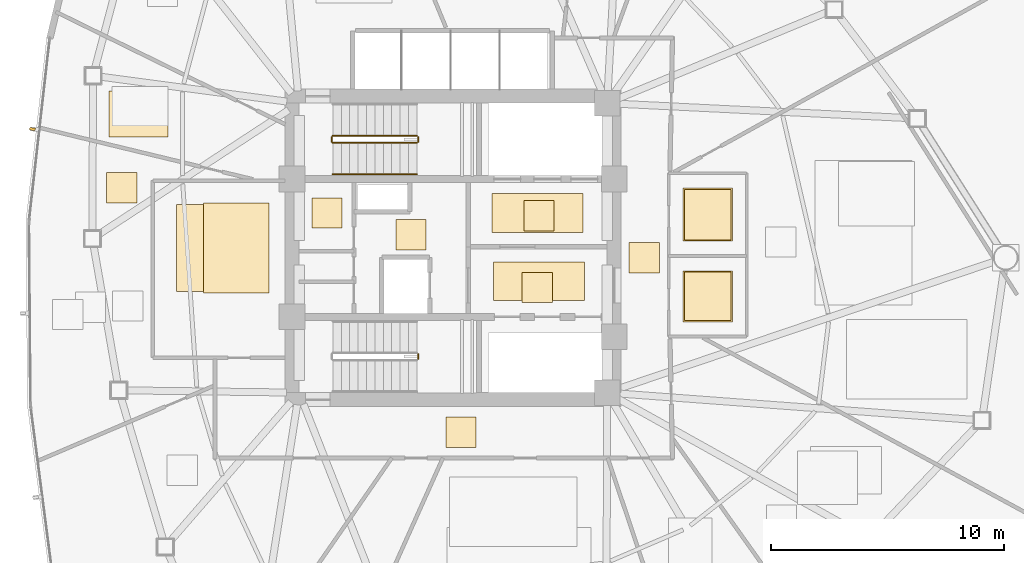
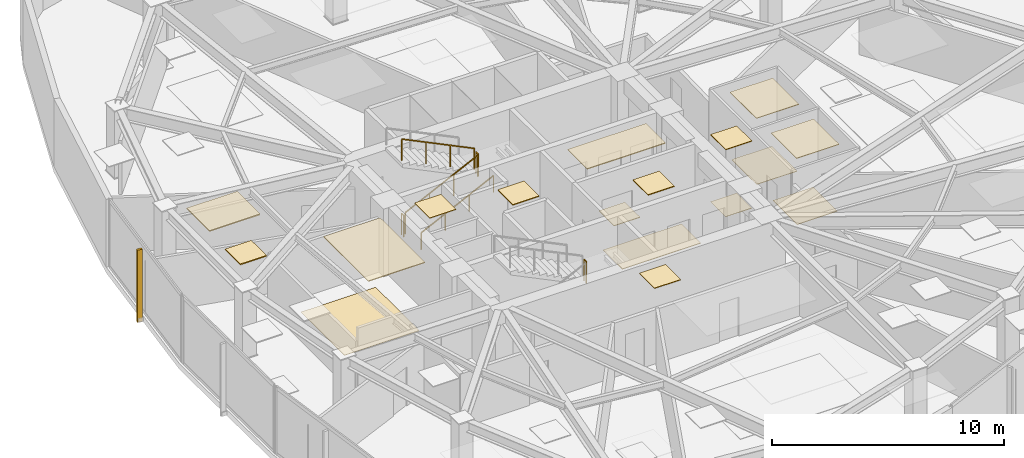
# One storey, part 16 of 18: 17 coverings, 6 railings, 1 shading device.
"""IFC4 building model written with IfcOpenShell, lengths in metres."""

from ifc_helpers import new_model, si_unit, direction, frame, origin, origin_2d, place, context, subcontext, project, spatial, polyline, rectangle, outline, extrude, source, transform, mapped, material, layer, layer_set, type_object, type_shapes, element, save


model = new_model("IFC4")

# Units and contexts
model_context = context("Model", 3, precision=1e-05, world=origin(), true_north=direction((0.0, 1.0)))
body_context = subcontext(model_context, "Body", "Model", "MODEL_VIEW")
ifc_project = project(units=[si_unit("LENGTHUNIT", "METRE"), si_unit("AREAUNIT", "SQUARE_METRE"), si_unit("VOLUMEUNIT", "CUBIC_METRE"), si_unit("PLANEANGLEUNIT", "RADIAN"), si_unit("MASSUNIT", "GRAM", prefix="KILO")], contexts=[model_context])

# Site, building, storey
site_placement = place(None, origin())
site = spatial("IfcSite", under=ifc_project, at=site_placement, CompositionType="ELEMENT")
building_placement = place(site_placement, origin())
building = spatial("IfcBuilding", under=site, at=building_placement, Name="Tavelor Broadcast Tower", CompositionType="ELEMENT")
storey_placement = place(building_placement, frame((0.0, 0.0, 146.39990234375)))
storey = spatial("IfcBuildingStorey", under=building, at=storey_placement, Name="L34", CompositionType="ELEMENT", Elevation=146.39990234375)

# Coverings
ifc_material_1 = material(Name="Copper-Bronze Anodized Aluminium", Category="aluminium")
ifc_layer_1 = layer(ifc_material_1, 0.044921875)
ifc_layer_set_1 = layer_set([ifc_layer_1], Name="Copper-Bronze Anodized Aluminium")
covering_type_1 = type_object("IfcCoveringType", Name="Anodised Bronze Linear Slatted Concourse Ceiling 45 mm", PredefinedType="CEILING", material=ifc_layer_set_1)
covering_1_placement = place(storey_placement, frame((0.0, 0.0, 3.505126953125)))
element("IfcCovering", 1, at=covering_1_placement, inside=storey, type_object=covering_type_1, Name="L34 Suspended Acoustic Ceiling 1378", PredefinedType="CEILING", context=body_context, shape_type="SweptSolid", body=[
    extrude(outline(polyline([(51.659912109375, 45.654296875), (55.55712890625, 45.654296875), (55.55712890625, 47.331787109375), (51.659912109375, 47.331787109375), (51.659912109375, 45.654296875)])), origin(), (0.0, 0.0, 1.0), 0.044921875),
])
covering_2_placement = place(storey_placement, frame((0.0, 0.0, 3.505126953125)))
element("IfcCovering", 2, at=covering_2_placement, inside=storey, type_object=covering_type_1, Name="L34 Suspended Acoustic Ceiling 1379", PredefinedType="CEILING", context=body_context, shape_type="SweptSolid", body=[
    extrude(outline(polyline([(52.95361328125, 42.656982421875), (54.25341796875, 42.656982421875), (54.25341796875, 43.95703125), (52.95361328125, 43.95703125), (52.95361328125, 42.656982421875)])), origin(), (0.0, 0.0, 1.0), 0.044921875),
])
covering_3_placement = place(storey_placement, frame((0.0, 0.0, 3.505126953125)))
element("IfcCovering", 3, at=covering_3_placement, inside=storey, type_object=covering_type_1, Name="L34 Suspended Acoustic Ceiling 1380", PredefinedType="CEILING", context=body_context, shape_type="SweptSolid", body=[
    extrude(outline(polyline([(47.544921875, 44.919921875), (48.844970703125, 44.919921875), (48.844970703125, 46.219970703125), (47.544921875, 46.219970703125), (47.544921875, 44.919921875)])), origin(), (0.0, 0.0, 1.0), 0.044921875),
])

# Railing
ifc_material_2 = material(Name="Steel S355", Category="steel")
railing_type_1 = type_object("IfcRailingType", Name="Continuous Brushed Stainless Handrail 900 mm", PredefinedType="HANDRAIL", material=ifc_material_2)
railing_1_placement = place(storey_placement, frame((44.85009765625, 48.14990234375, 0.175048828125)))
element("IfcRailing", 4, at=railing_1_placement, inside=storey, type_object=railing_type_1, Name="L34 ST1 stair handrail 1", PredefinedType="HANDRAIL", context=body_context, shape_type="SweptSolid", body=[
    extrude(rectangle(XDim=0.048095703125, YDim=0.048095703125, at=origin_2d()), frame((0.0, 0.0, 0.8759765625), z_axis=(0.899360859046, 0.0, 0.437207096483), x_axis=(0.0, 1.0, 0.0)), (0.0, 0.0, 1.0), 4.002685546875),
    extrude(rectangle(XDim=0.0419921875, YDim=0.0419921875, at=origin_2d()), origin(), (0.0, 0.0, 1.0), 0.851806640625),
    extrude(rectangle(XDim=0.0419921875, YDim=0.0419921875, at=origin_2d()), frame((1.199951171875, 0.0, 0.583251953125)), (0.0, 0.0, 1.0), 0.851806640625),
    extrude(rectangle(XDim=0.0419921875, YDim=0.0419921875, at=origin_2d()), frame((2.39990234375, 0.0, 1.166748046875)), (0.0, 0.0, 1.0), 0.851806640625),
    extrude(rectangle(XDim=0.0419921875, YDim=0.0419921875, at=origin_2d()), frame((3.599853515625, 0.0, 1.75)), (0.0, 0.0, 1.0), 0.851806640625),
])

# Coverings
ifc_material_3 = material(Name="Architectural Anodized Aluminium", Category="aluminium")
ifc_layer_2 = layer(ifc_material_3, 0.034912109375)
ifc_layer_set_2 = layer_set([ifc_layer_2], Name="Architectural Anodized Aluminium")
covering_type_2 = type_object("IfcCoveringType", Name="Demountable Metal Tile Corridor Ceiling 35 mm", PredefinedType="CEILING", material=ifc_layer_set_2)
covering_4_placement = place(storey_placement, frame((0.0, 0.0, 3.51513671875)))
element("IfcCovering", 5, at=covering_4_placement, inside=storey, type_object=covering_type_2, Name="L34 Suspended Acoustic Ceiling 1382", PredefinedType="CEILING", context=body_context, shape_type="SweptSolid", body=[
    extrude(outline(polyline([(57.5400390625, 43.925048828125), (58.840087890625, 43.925048828125), (58.840087890625, 45.22509765625), (57.5400390625, 45.22509765625), (57.5400390625, 43.925048828125)])), origin(), (0.0, 0.0, 1.0), 0.034912109375),
])
covering_5_placement = place(storey_placement, frame((0.0, 0.0, 3.51513671875)))
element("IfcCovering", 6, at=covering_5_placement, inside=storey, type_object=covering_type_2, Name="L34 Suspended Acoustic Ceiling 1383", PredefinedType="CEILING", context=body_context, shape_type="SweptSolid", body=[
    extrude(outline(polyline([(49.689208984375, 36.449951171875), (50.9892578125, 36.449951171875), (50.9892578125, 37.75), (49.689208984375, 37.75), (49.689208984375, 36.449951171875)])), origin(), (0.0, 0.0, 1.0), 0.034912109375),
])
ifc_material_4 = material(Name="Acoustic Nylon Carpet Tile")
ifc_layer_3 = layer(ifc_material_4, 0.02001953125)
ifc_layer_set_3 = layer_set([ifc_layer_3], Name="Acoustic Nylon Carpet Tile")
covering_type_3 = type_object("IfcCoveringType", Name="Heavy-Duty Acoustic Broadcast Carpet Tile 20 mm", PredefinedType="FLOORING", material=ifc_layer_set_3)
covering_6_placement = place(storey_placement, origin())
element("IfcCovering", 7, at=covering_6_placement, inside=storey, type_object=covering_type_3, Name="L34 Broadcast Floor Finish 0481", PredefinedType="FLOORING", context=body_context, shape_type="SweptSolid", body=[
    extrude(outline(polyline([(57.5400390625, 43.925048828125), (58.840087890625, 43.925048828125), (58.840087890625, 45.22509765625), (57.5400390625, 45.22509765625), (57.5400390625, 43.925048828125)])), origin(), (0.0, 0.0, 1.0), 0.02001953125),
])
covering_7_placement = place(storey_placement, origin())
element("IfcCovering", 8, at=covering_7_placement, inside=storey, type_object=covering_type_3, Name="L34 Broadcast Floor Finish 0482", PredefinedType="FLOORING", context=body_context, shape_type="SweptSolid", body=[
    extrude(outline(polyline([(38.143798828125, 43.12890625), (41.856201171875, 43.12890625), (41.856201171875, 46.87060546875), (38.143798828125, 46.87060546875), (38.143798828125, 43.12890625)])), origin(), (0.0, 0.0, 1.0), 0.02001953125),
])
ifc_material_5 = material(Name="Honed Natural Limestone Tile", Category="masonry")
ifc_layer_4 = layer(ifc_material_5, 0.030029296875)
ifc_layer_set_4 = layer_set([ifc_layer_4], Name="Honed Natural Limestone Tile")
covering_type_4 = type_object("IfcCoveringType", Name="Honed Jerusalem Limestone Concourse Flooring 30 mm", PredefinedType="FLOORING", material=ifc_layer_set_4)
covering_8_placement = place(storey_placement, origin())
element("IfcCovering", 9, at=covering_8_placement, inside=storey, type_object=covering_type_4, Name="L34 Broadcast Floor Finish 0479", PredefinedType="FLOORING", context=body_context, shape_type="SweptSolid", body=[
    extrude(outline(polyline([(53.030029296875, 45.728515625), (54.330078125, 45.728515625), (54.330078125, 47.028564453125), (53.030029296875, 47.028564453125), (53.030029296875, 45.728515625)])), origin(), (0.0, 0.0, 1.0), 0.030029296875),
])
covering_9_placement = place(storey_placement, origin())
element("IfcCovering", 10, at=covering_9_placement, inside=storey, type_object=covering_type_4, Name="L34 Broadcast Floor Finish 0480", PredefinedType="FLOORING", context=body_context, shape_type="SweptSolid", body=[
    extrude(outline(polyline([(51.728759765625, 42.743408203125), (55.62109375, 42.743408203125), (55.62109375, 44.396484375), (51.728759765625, 44.396484375), (51.728759765625, 42.743408203125)])), origin(), (0.0, 0.0, 1.0), 0.030029296875),
])
ifc_material_6 = material(Name="Acoustic Perforated Timber Baffle", Category="wood")
ifc_layer_5 = layer(ifc_material_6, 0.054931640625)
ifc_layer_set_5 = layer_set([ifc_layer_5], Name="Acoustic Perforated Timber Baffle")
covering_type_5 = type_object("IfcCoveringType", Name="Micro-Perforated Acoustic Baffle Studio Ceiling 55 mm", PredefinedType="CEILING", material=ifc_layer_set_5)
covering_10_placement = place(storey_placement, frame((0.0, 0.0, 3.4951171875)))
element("IfcCovering", 11, at=covering_10_placement, inside=storey, type_object=covering_type_5, Name="L34 Suspended Acoustic Ceiling 1406", PredefinedType="CEILING", context=body_context, shape_type="SweptSolid", body=[
    extrude(outline(polyline([(35.161865234375, 46.92236328125), (36.4619140625, 46.92236328125), (36.4619140625, 48.222412109375), (35.161865234375, 48.222412109375), (35.161865234375, 46.92236328125)])), origin(), (0.0, 0.0, 1.0), 0.054931640625),
])
covering_11_placement = place(storey_placement, frame((0.0, 0.0, 3.4951171875)))
element("IfcCovering", 12, at=covering_11_placement, inside=storey, type_object=covering_type_5, Name="L34 Suspended Acoustic Ceiling 1408", PredefinedType="CEILING", context=body_context, shape_type="SweptSolid", body=[
    extrude(outline(polyline([(35.26513671875, 49.75146484375), (37.77978515625, 49.75146484375), (37.77978515625, 51.71240234375), (35.26513671875, 51.71240234375), (35.26513671875, 49.75146484375)])), origin(), (0.0, 0.0, 1.0), 0.054931640625),
])
ifc_layer_6 = layer(ifc_material_3, 0.030029296875)
ifc_layer_set_6 = layer_set([ifc_layer_6], Name="Architectural Anodized Aluminium")
covering_type_6 = type_object("IfcCoveringType", Name="Moisture-Resistant Washroom Ceiling 30 mm", PredefinedType="CEILING", material=ifc_layer_set_6)
covering_12_placement = place(storey_placement, frame((0.0, 0.0, 3.52001953125)))
element("IfcCovering", 13, at=covering_12_placement, inside=storey, type_object=covering_type_6, Name="L34 Suspended Acoustic Ceiling 1381", PredefinedType="CEILING", context=body_context, shape_type="SweptSolid", body=[
    extrude(outline(polyline([(43.951416015625, 45.843017578125), (45.25146484375, 45.843017578125), (45.25146484375, 47.14306640625), (43.951416015625, 47.14306640625), (43.951416015625, 45.843017578125)])), origin(), (0.0, 0.0, 1.0), 0.030029296875),
])
covering_13_placement = place(storey_placement, frame((0.0, 0.0, 3.52001953125)))
element("IfcCovering", 14, at=covering_13_placement, inside=storey, type_object=covering_type_6, Name="L34 Suspended Acoustic Ceiling 1385", PredefinedType="CEILING", context=body_context, shape_type="SweptSolid", body=[
    extrude(outline(polyline([(59.85302734375, 41.828369140625), (61.967041015625, 41.828369140625), (61.967041015625, 44.021484375), (59.85302734375, 44.021484375), (59.85302734375, 41.828369140625)])), origin(), (0.0, 0.0, 1.0), 0.030029296875),
])
covering_14_placement = place(storey_placement, frame((0.0, 0.0, 3.52001953125)))
element("IfcCovering", 15, at=covering_14_placement, inside=storey, type_object=covering_type_6, Name="L34 Suspended Acoustic Ceiling 1386", PredefinedType="CEILING", context=body_context, shape_type="SweptSolid", body=[
    extrude(outline(polyline([(59.85302734375, 45.29248046875), (61.967041015625, 45.29248046875), (61.967041015625, 47.5576171875), (59.85302734375, 47.5576171875), (59.85302734375, 45.29248046875)])), origin(), (0.0, 0.0, 1.0), 0.030029296875),
])
ifc_material_7 = material(Name="Slip-Resistant Porcelain Tile")
ifc_layer_7 = layer(ifc_material_7, 0.02490234375)
ifc_layer_set_7 = layer_set([ifc_layer_7], Name="Slip-Resistant Porcelain Tile")
covering_type_7 = type_object("IfcCoveringType", Name="Slip-Resistant Porcelain Wet-Area Floor Tile 25 mm", PredefinedType="FLOORING", material=ifc_layer_set_7)
covering_15_placement = place(storey_placement, origin())
element("IfcCovering", 16, at=covering_15_placement, inside=storey, type_object=covering_type_7, Name="L34 Broadcast Floor Finish 0483", PredefinedType="FLOORING", context=body_context, shape_type="SweptSolid", body=[
    extrude(outline(polyline([(59.91064453125, 41.885986328125), (61.909423828125, 41.885986328125), (61.909423828125, 43.964111328125), (59.91064453125, 43.964111328125), (59.91064453125, 41.885986328125)])), origin(), (0.0, 0.0, 1.0), 0.025146484375),
])
covering_16_placement = place(storey_placement, origin())
element("IfcCovering", 17, at=covering_16_placement, inside=storey, type_object=covering_type_7, Name="L34 Broadcast Floor Finish 0484", PredefinedType="FLOORING", context=body_context, shape_type="SweptSolid", body=[
    extrude(outline(polyline([(59.91064453125, 45.35009765625), (61.909423828125, 45.35009765625), (61.909423828125, 47.5), (59.91064453125, 47.5), (59.91064453125, 45.35009765625)])), origin(), (0.0, 0.0, 1.0), 0.025146484375),
])

# Railings
railing_type_2 = type_object("IfcRailingType", Name="Stairwell Steel Safety Guardrail 1150 mm", PredefinedType="GUARDRAIL", material=ifc_material_2)
railing_2_placement = place(storey_placement, frame((44.85009765625, 49.5, 0.175048828125)))
element("IfcRailing", 18, at=railing_2_placement, inside=storey, type_object=railing_type_2, Name="L34 ST1 stair guard 1", PredefinedType="GUARDRAIL", context=body_context, shape_type="SweptSolid", body=[
    extrude(rectangle(XDim=0.048095703125, YDim=0.048095703125, at=origin_2d()), frame((0.0, 0.0, 1.1259765625), z_axis=(0.899360859046, 0.0, 0.437207096483), x_axis=(0.0, 1.0, 0.0)), (0.0, 0.0, 1.0), 4.002685546875),
    extrude(rectangle(XDim=0.0419921875, YDim=0.0419921875, at=origin_2d()), origin(), (0.0, 0.0, 1.0), 1.101806640625),
    extrude(rectangle(XDim=0.0419921875, YDim=0.0419921875, at=origin_2d()), frame((1.199951171875, 0.0, 0.583251953125)), (0.0, 0.0, 1.0), 1.101806640625),
    extrude(rectangle(XDim=0.0419921875, YDim=0.0419921875, at=origin_2d()), frame((2.39990234375, 0.0, 1.166748046875)), (0.0, 0.0, 1.0), 1.101806640625),
    extrude(rectangle(XDim=0.0419921875, YDim=0.0419921875, at=origin_2d()), frame((3.599853515625, 0.0, 1.75)), (0.0, 0.0, 1.0), 1.101806640625),
])
railing_3_placement = place(storey_placement, frame((48.5, 49.550048828125, 1.925048828125)))
element("IfcRailing", 19, at=railing_3_placement, inside=storey, type_object=railing_type_2, Name="L34 ST1 stair guard 2", PredefinedType="GUARDRAIL", context=body_context, shape_type="SweptSolid", body=[
    extrude(rectangle(XDim=0.048095703125, YDim=0.048095703125, at=origin_2d()), frame((0.0, 0.0, 1.1259765625), z_axis=(0.0, 1.0, 0.0), x_axis=(-1.0, 0.0, 0.0)), (0.0, 0.0, 1.0), 0.199951171875),
    extrude(rectangle(XDim=0.0419921875, YDim=0.0419921875, at=origin_2d()), origin(), (0.0, 0.0, 1.0), 1.101806640625),
    extrude(rectangle(XDim=0.0419921875, YDim=0.0419921875, at=origin_2d()), frame((0.0, 0.199951171875, 0.0)), (0.0, 0.0, 1.0), 1.101806640625),
])
railing_4_placement = place(storey_placement, frame((48.449951171875, 49.800048828125, 2.10009765625)))
element("IfcRailing", 20, at=railing_4_placement, inside=storey, type_object=railing_type_2, Name="L34 ST1 stair guard 3", PredefinedType="GUARDRAIL", context=body_context, shape_type="SweptSolid", body=[
    extrude(rectangle(XDim=0.048095703125, YDim=0.048095703125, at=origin_2d()), frame((0.0, 0.0, 1.1259765625), z_axis=(-0.899360859046, 0.0, 0.437207096483), x_axis=(0.0, -1.0, 0.0)), (0.0, 0.0, 1.0), 4.002685546875),
    extrude(rectangle(XDim=0.0419921875, YDim=0.0419921875, at=origin_2d()), origin(), (0.0, 0.0, 1.0), 1.101806640625),
    extrude(rectangle(XDim=0.0419921875, YDim=0.0419921875, at=origin_2d()), frame((-1.199951171875, 0.0, 0.583251953125)), (0.0, 0.0, 1.0), 1.101806640625),
    extrude(rectangle(XDim=0.0419921875, YDim=0.0419921875, at=origin_2d()), frame((-2.39990234375, 0.0, 1.166748046875)), (0.0, 0.0, 1.0), 1.101806640625),
    extrude(rectangle(XDim=0.0419921875, YDim=0.0419921875, at=origin_2d()), frame((-3.599853515625, 0.0, 1.75)), (0.0, 0.0, 1.0), 1.101806640625),
])
for number, where, name in (
    (21, (44.800048828125, 49.550048828125, 0.0), "L34 ST1 stair guard 4"),
    (22, (48.5, 40.25, 1.925048828125), "L34 ST2 stair guard 2"),
):
    element("IfcRailing", number, at=place(storey_placement, frame(where)), inside=storey, type_object=railing_type_2, Name=name, PredefinedType="GUARDRAIL", context=body_context, shape_type="SweptSolid", body=[
        extrude(rectangle(XDim=0.048095703125, YDim=0.048095703125, at=origin_2d()), frame((0.0, 0.0, 1.1259765625), z_axis=(0.0, 1.0, 0.0), x_axis=(-1.0, 0.0, 0.0)), (0.0, 0.0, 1.0), 0.199951171875),
        extrude(rectangle(XDim=0.0419921875, YDim=0.0419921875, at=origin_2d()), origin(), (0.0, 0.0, 1.0), 1.101806640625),
        extrude(rectangle(XDim=0.0419921875, YDim=0.0419921875, at=origin_2d()), frame((0.0, 0.199951171875, 0.0)), (0.0, 0.0, 1.0), 1.101806640625),
    ])

# Covering
ifc_material_8 = material(Name="Acoustic Mineral Fibre Tile")
ifc_layer_8 = layer(ifc_material_8, 0.0400390625)
ifc_layer_set_8 = layer_set([ifc_layer_8], Name="Acoustic Mineral Fibre Tile")
covering_type_8 = type_object("IfcCoveringType", Name="Suspended Acoustic Mineral-Fibre Office Ceiling 40 mm", PredefinedType="CEILING", material=ifc_layer_set_8)
covering_17_placement = place(storey_placement, frame((0.0, 0.0, 3.510009765625)))
element("IfcCovering", 23, at=covering_17_placement, inside=storey, type_object=covering_type_8, Name="L34 Suspended Acoustic Ceiling 1384", PredefinedType="CEILING", context=body_context, shape_type="SweptSolid", body=[
    extrude(outline(polyline([(39.2998046875, 43.0712890625), (42.111328125, 43.0712890625), (42.111328125, 46.927978515625), (39.2998046875, 46.927978515625), (39.2998046875, 43.0712890625)])), origin(), (0.0, 0.0, 1.0), 0.0400390625),
])

# Shading device
ifc_material_9 = material(Name="Kiln-Fired Glazed Terracotta", Category="masonry")
shading_device_type = type_object("IfcShadingDeviceType", Name="Extruded Terracotta Baguette Sun-Screen 110x240", PredefinedType="JALOUSIE", material=ifc_material_9)
shared_shape = source(origin(), body_context, "Body", "SweptSolid", [
    extrude(rectangle(XDim=0.110107421875, YDim=0.239990234375, at=origin_2d()), origin(), (0.0, 0.0, 1.0), 3.7900390625),
])
type_shapes(shading_device_type, [shared_shape])
shading_device_placement = place(storey_placement, frame((31.980224609375, 50.092041015625, -0.260009765625), z_axis=(0.0, 0.0, 1.0), x_axis=(-0.112856384873, -0.99361131052, 0.0)))
element("IfcShadingDevice", 24, at=shading_device_placement, inside=storey, type_object=shading_device_type, Name="L34 Terracotta Baguette Fin 337", PredefinedType="JALOUSIE", context=body_context, shape_type="MappedRepresentation", body=[
    mapped(shared_shape, transform((0.0, 0.0, 0.0), scale=1.0)),
])

save(model, "model.ifc")
